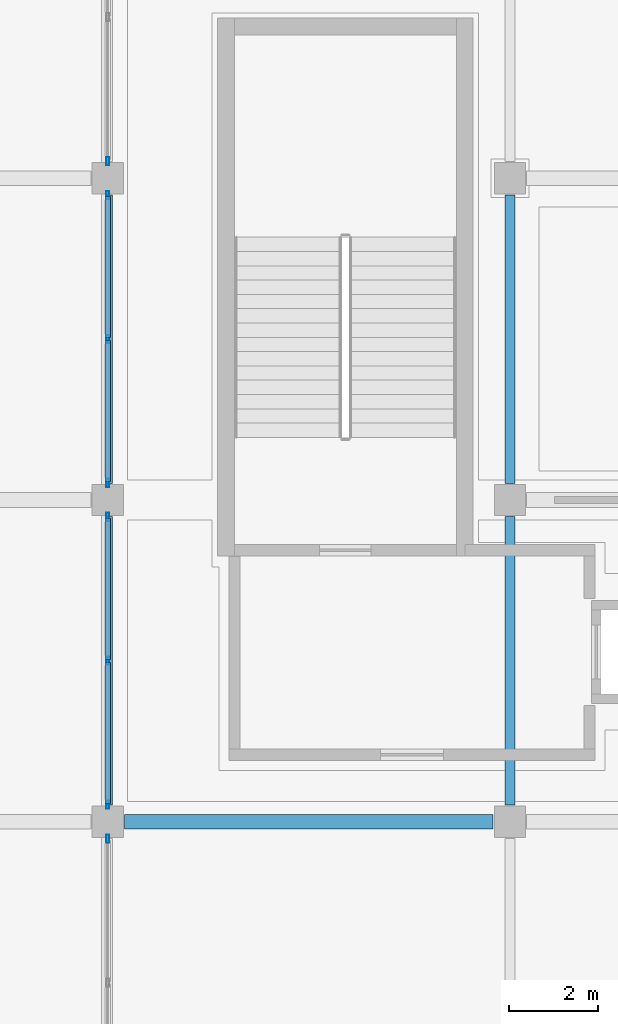
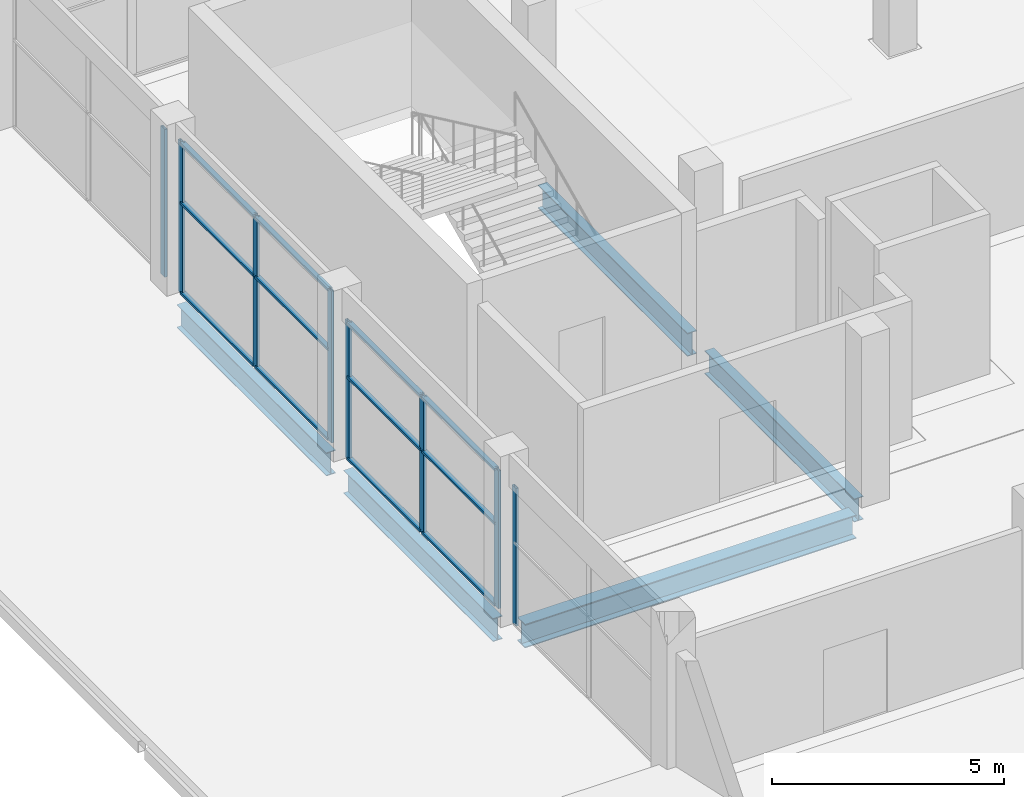
# One storey, part 69 of 151: 20 members, 5 beams, 4 elements without a shape of their own.
"""IFC4 building model written with IfcOpenShell, lengths in metres."""

from ifc_helpers import new_model, si_unit, direction, frame, origin, origin_2d, place, context, subcontext, project, spatial, hollow_rectangle, i_section, extrude, material, layer, layer_set, material_profile, profile_set, type_object, element, aggregate, save


model = new_model("IFC4")

# Units and contexts
model_context = context("Model", 3, precision=1e-05, world=origin(), true_north=direction((0.0, 1.0)))
body_context = subcontext(model_context, "Body", "Model", "MODEL_VIEW")
ifc_project = project(units=[si_unit("LENGTHUNIT", "METRE"), si_unit("AREAUNIT", "SQUARE_METRE"), si_unit("VOLUMEUNIT", "CUBIC_METRE"), si_unit("PLANEANGLEUNIT", "RADIAN"), si_unit("MASSUNIT", "GRAM", prefix="KILO")], contexts=[model_context])

# Site, building, storey
site_placement = place(None, origin())
site = spatial("IfcSite", under=ifc_project, at=site_placement, CompositionType="ELEMENT")
building_placement = place(site_placement, origin())
building = spatial("IfcBuilding", under=site, at=building_placement, Name="Celestram Park Convention Centre", CompositionType="ELEMENT")
storey_placement = place(building_placement, frame((0.0, 0.0, 10.800048828125)))
storey = spatial("IfcBuildingStorey", under=building, at=storey_placement, Name="L02", CompositionType="ELEMENT", Elevation=10.800048828125)

# Curtain wall, member
ifc_material_1 = material(Name="Anodised Aluminium Alloy 6063-T6", Category="aluminium")
ifc_layer_1 = layer(ifc_material_1, 0.179931640625)
ifc_layer_set_1 = layer_set([ifc_layer_1], Name="Anodised Aluminium Alloy 6063-T6")
curtain_wall_type_1 = type_object("IfcCurtainWallType", Name="ARC-CW-650X363", PredefinedType="NOTDEFINED", material=ifc_layer_set_1)
curtain_wall_1_placement = place(storey_placement, origin())
curtain_wall_1 = element("IfcCurtainWall", 1, at=curtain_wall_1_placement, inside=storey, type_object=curtain_wall_type_1, Name="Unitised curtain wall CU-L02-146", PredefinedType="NOTDEFINED")
ifc_material_profile_1 = material_profile(ifc_material_1, hollow_rectangle(XDim=0.06494140625, YDim=0.179931640625, WallThickness=0.00390625, at=origin_2d()), Name="ALU65X180X4")
ifc_profile_set_1 = profile_set([ifc_material_profile_1], Name="Anodised Aluminium Alloy 6063-T6")
member_type_1 = type_object("IfcMemberType", Name="ARC-CWM-150", PredefinedType="MULLION", material=ifc_profile_set_1)
member_1_placement = place(storey_placement, frame((36.0, 143.619384765625, 0.0), z_axis=(0.0, 0.0, 1.0), x_axis=(-1.0, 0.0, 0.0)))
member_1 = element("IfcMember", 2, at=member_1_placement, type_object=member_type_1, Name="CW-65X36 mullion 3", PredefinedType="MULLION", context=body_context, shape_type="SweptSolid", body=[
    extrude(hollow_rectangle(XDim=0.06494140625, YDim=0.179931640625, WallThickness=0.00390625, at=origin_2d()), origin(), (0.0, 0.0, 1.0), 3.6279296875),
])
aggregate(curtain_wall_1, [member_1])

# Curtain wall, members
curtain_wall_2_placement = place(storey_placement, origin())
curtain_wall_2 = element("IfcCurtainWall", 3, at=curtain_wall_2_placement, inside=storey, type_object=curtain_wall_type_1, Name="Unitised curtain wall CU-L02-147", PredefinedType="NOTDEFINED")
member_2_placement = place(storey_placement, frame((36.0, 144.380615234375, 0.0), z_axis=(0.0, 0.0, 1.0), x_axis=(-1.0, 0.0, 0.0)))
member_2 = element("IfcMember", 4, at=member_2_placement, type_object=member_type_1, Name="CW-65X36 mullion 1", PredefinedType="MULLION", context=body_context, shape_type="SweptSolid", body=[
    extrude(hollow_rectangle(XDim=0.06494140625, YDim=0.179931640625, WallThickness=0.00390625, at=origin_2d()), origin(), (0.0, 0.0, 1.0), 3.6279296875),
])
member_3_placement = place(storey_placement, frame((36.0, 147.60009765625, 0.0), z_axis=(0.0, 0.0, 1.0), x_axis=(-1.0, 0.0, 0.0)))
member_3 = element("IfcMember", 5, at=member_3_placement, type_object=member_type_1, Name="CW-65X36 mullion 2", PredefinedType="MULLION", context=body_context, shape_type="SweptSolid", body=[
    extrude(hollow_rectangle(XDim=0.06494140625, YDim=0.179931640625, WallThickness=0.00390625, at=origin_2d()), origin(), (0.0, 0.0, 1.0), 3.6279296875),
])
member_4_placement = place(storey_placement, frame((36.0, 150.819580078125, 0.0), z_axis=(0.0, 0.0, 1.0), x_axis=(-1.0, 0.0, 0.0)))
member_4 = element("IfcMember", 6, at=member_4_placement, type_object=member_type_1, Name="CW-65X36 mullion 3", PredefinedType="MULLION", context=body_context, shape_type="SweptSolid", body=[
    extrude(hollow_rectangle(XDim=0.06494140625, YDim=0.179931640625, WallThickness=0.00390625, at=origin_2d()), origin(), (0.0, 0.0, 1.0), 3.6279296875),
])

ifc_layer_2 = layer(ifc_material_1, 0.179931640625)
ifc_layer_set_2 = layer_set([ifc_layer_2], Name="Anodised Aluminium Alloy 6063-T6")
curtain_wall_type_2 = type_object("IfcCurtainWallType", Name="ARC-CW-650X400", PredefinedType="NOTDEFINED", material=ifc_layer_set_2)
curtain_wall_3_placement = place(storey_placement, origin())
curtain_wall_3 = element("IfcCurtainWall", 7, at=curtain_wall_3_placement, inside=storey, type_object=curtain_wall_type_2, Name="Unitised curtain wall CU-L02-148", PredefinedType="NOTDEFINED")
member_5_placement = place(storey_placement, frame((36.0, 151.58056640625, 0.0), z_axis=(0.0, 0.0, 1.0), x_axis=(-1.0, 0.0, 0.0)))
member_5 = element("IfcMember", 8, at=member_5_placement, type_object=member_type_1, Name="CW-65X40 mullion 1", PredefinedType="MULLION", context=body_context, shape_type="SweptSolid", body=[
    extrude(hollow_rectangle(XDim=0.06494140625, YDim=0.179931640625, WallThickness=0.00390625, at=origin_2d()), origin(), (0.0, 0.0, 1.0), 4.0),
])
member_6_placement = place(storey_placement, frame((36.0, 154.800048828125, 0.0), z_axis=(0.0, 0.0, 1.0), x_axis=(-1.0, 0.0, 0.0)))
member_6 = element("IfcMember", 9, at=member_6_placement, type_object=member_type_1, Name="CW-65X40 mullion 2", PredefinedType="MULLION", context=body_context, shape_type="SweptSolid", body=[
    extrude(hollow_rectangle(XDim=0.06494140625, YDim=0.179931640625, WallThickness=0.00390625, at=origin_2d()), origin(), (0.0, 0.0, 1.0), 4.0),
])
member_7_placement = place(storey_placement, frame((36.0, 158.01953125, 0.0), z_axis=(0.0, 0.0, 1.0), x_axis=(-1.0, 0.0, 0.0)))
member_7 = element("IfcMember", 10, at=member_7_placement, type_object=member_type_1, Name="CW-65X40 mullion 3", PredefinedType="MULLION", context=body_context, shape_type="SweptSolid", body=[
    extrude(hollow_rectangle(XDim=0.06494140625, YDim=0.179931640625, WallThickness=0.00390625, at=origin_2d()), origin(), (0.0, 0.0, 1.0), 4.0),
])

# Curtain wall, member
ifc_layer_3 = layer(ifc_material_1, 0.179931640625)
ifc_layer_set_3 = layer_set([ifc_layer_3], Name="Anodised Aluminium Alloy 6063-T6")
curtain_wall_type_3 = type_object("IfcCurtainWallType", Name="ARC-CW-650X389", PredefinedType="NOTDEFINED", material=ifc_layer_set_3)
curtain_wall_4_placement = place(storey_placement, origin())
curtain_wall_4 = element("IfcCurtainWall", 11, at=curtain_wall_4_placement, inside=storey, type_object=curtain_wall_type_3, Name="Unitised curtain wall CU-L02-149", PredefinedType="NOTDEFINED")
member_8_placement = place(storey_placement, frame((36.0, 158.780517578125, 0.0), z_axis=(0.0, 0.0, 1.0), x_axis=(-1.0, 0.0, 0.0)))
member_8 = element("IfcMember", 12, at=member_8_placement, type_object=member_type_1, Name="CW-65X38 mullion 1", PredefinedType="MULLION", context=body_context, shape_type="SweptSolid", body=[
    extrude(hollow_rectangle(XDim=0.06494140625, YDim=0.179931640625, WallThickness=0.00390625, at=origin_2d()), origin(), (0.0, 0.0, 1.0), 3.89404296875),
])
aggregate(curtain_wall_4, [member_8])

# Member
ifc_material_profile_2 = material_profile(ifc_material_1, hollow_rectangle(XDim=0.1201171875, YDim=0.06005859375, WallThickness=0.0029296875, at=origin_2d()), Name="ALU120X60X3")
ifc_profile_set_2 = profile_set([ifc_material_profile_2], Name="Anodised Aluminium Alloy 6063-T6")
member_type_2 = type_object("IfcMemberType", Name="ARC-CWT-120", PredefinedType="USERDEFINED", material=ifc_profile_set_2)
member_9_placement = place(storey_placement, frame((36.0, 144.4130859375, 0.030029296875), z_axis=(0.0, 1.0, 0.0), x_axis=(-1.0, 0.0, 0.0)))
member_9 = element("IfcMember", 13, at=member_9_placement, type_object=member_type_2, Name="CW-65X36 transom 1.1", ObjectType="TRANSOM", PredefinedType="USERDEFINED", context=body_context, shape_type="SweptSolid", body=[
    extrude(hollow_rectangle(XDim=0.1201171875, YDim=0.06005859375, WallThickness=0.0029296875, at=origin_2d()), origin(), (0.0, 0.0, 1.0), 3.154296875),
])

member_10_placement = place(storey_placement, frame((36.0, 144.4130859375, 2.177001953125), z_axis=(0.0, 1.0, 0.0), x_axis=(-1.0, 0.0, 0.0)))
member_10 = element("IfcMember", 14, at=member_10_placement, type_object=member_type_2, Name="CW-65X36 transom 1.2", ObjectType="TRANSOM", PredefinedType="USERDEFINED", context=body_context, shape_type="SweptSolid", body=[
    extrude(hollow_rectangle(XDim=0.1201171875, YDim=0.06005859375, WallThickness=0.0029296875, at=origin_2d()), origin(), (0.0, 0.0, 1.0), 3.154296875),
])

member_11_placement = place(storey_placement, frame((36.0, 144.4130859375, 3.597900390625), z_axis=(0.0, 1.0, 0.0), x_axis=(-1.0, 0.0, 0.0)))
member_11 = element("IfcMember", 15, at=member_11_placement, type_object=member_type_2, Name="CW-65X36 transom 1.3", ObjectType="TRANSOM", PredefinedType="USERDEFINED", context=body_context, shape_type="SweptSolid", body=[
    extrude(hollow_rectangle(XDim=0.1201171875, YDim=0.06005859375, WallThickness=0.0029296875, at=origin_2d()), origin(), (0.0, 0.0, 1.0), 3.154296875),
])

member_12_placement = place(storey_placement, frame((36.0, 147.632568359375, 0.030029296875), z_axis=(0.0, 1.0, 0.0), x_axis=(-1.0, 0.0, 0.0)))
member_12 = element("IfcMember", 16, at=member_12_placement, type_object=member_type_2, Name="CW-65X36 transom 2.1", ObjectType="TRANSOM", PredefinedType="USERDEFINED", context=body_context, shape_type="SweptSolid", body=[
    extrude(hollow_rectangle(XDim=0.1201171875, YDim=0.06005859375, WallThickness=0.0029296875, at=origin_2d()), origin(), (0.0, 0.0, 1.0), 3.154541015625),
])

member_13_placement = place(storey_placement, frame((36.0, 147.632568359375, 2.177001953125), z_axis=(0.0, 1.0, 0.0), x_axis=(-1.0, 0.0, 0.0)))
member_13 = element("IfcMember", 17, at=member_13_placement, type_object=member_type_2, Name="CW-65X36 transom 2.2", ObjectType="TRANSOM", PredefinedType="USERDEFINED", context=body_context, shape_type="SweptSolid", body=[
    extrude(hollow_rectangle(XDim=0.1201171875, YDim=0.06005859375, WallThickness=0.0029296875, at=origin_2d()), origin(), (0.0, 0.0, 1.0), 3.154541015625),
])

member_14_placement = place(storey_placement, frame((36.0, 147.632568359375, 3.597900390625), z_axis=(0.0, 1.0, 0.0), x_axis=(-1.0, 0.0, 0.0)))
member_14 = element("IfcMember", 18, at=member_14_placement, type_object=member_type_2, Name="CW-65X36 transom 2.3", ObjectType="TRANSOM", PredefinedType="USERDEFINED", context=body_context, shape_type="SweptSolid", body=[
    extrude(hollow_rectangle(XDim=0.1201171875, YDim=0.06005859375, WallThickness=0.0029296875, at=origin_2d()), origin(), (0.0, 0.0, 1.0), 3.154541015625),
])

aggregate(curtain_wall_2, [member_2, member_3, member_4, member_9, member_10, member_11, member_12, member_13, member_14])

member_15_placement = place(storey_placement, frame((36.0, 151.613037109375, 0.030029296875), z_axis=(0.0, 1.0, 0.0), x_axis=(-1.0, 0.0, 0.0)))
member_15 = element("IfcMember", 19, at=member_15_placement, type_object=member_type_2, Name="CW-65X40 transom 1.1", ObjectType="TRANSOM", PredefinedType="USERDEFINED", context=body_context, shape_type="SweptSolid", body=[
    extrude(hollow_rectangle(XDim=0.1201171875, YDim=0.06005859375, WallThickness=0.0029296875, at=origin_2d()), origin(), (0.0, 0.0, 1.0), 3.154541015625),
])

member_16_placement = place(storey_placement, frame((36.0, 151.613037109375, 2.39990234375), z_axis=(0.0, 1.0, 0.0), x_axis=(-1.0, 0.0, 0.0)))
member_16 = element("IfcMember", 20, at=member_16_placement, type_object=member_type_2, Name="CW-65X40 transom 1.2", ObjectType="TRANSOM", PredefinedType="USERDEFINED", context=body_context, shape_type="SweptSolid", body=[
    extrude(hollow_rectangle(XDim=0.1201171875, YDim=0.06005859375, WallThickness=0.0029296875, at=origin_2d()), origin(), (0.0, 0.0, 1.0), 3.154541015625),
])

member_17_placement = place(storey_placement, frame((36.0, 151.613037109375, 3.969970703125), z_axis=(0.0, 1.0, 0.0), x_axis=(-1.0, 0.0, 0.0)))
member_17 = element("IfcMember", 21, at=member_17_placement, type_object=member_type_2, Name="CW-65X40 transom 1.3", ObjectType="TRANSOM", PredefinedType="USERDEFINED", context=body_context, shape_type="SweptSolid", body=[
    extrude(hollow_rectangle(XDim=0.1201171875, YDim=0.06005859375, WallThickness=0.0029296875, at=origin_2d()), origin(), (0.0, 0.0, 1.0), 3.154541015625),
])

member_18_placement = place(storey_placement, frame((36.0, 154.83251953125, 0.030029296875), z_axis=(0.0, 1.0, 0.0), x_axis=(-1.0, 0.0, 0.0)))
member_18 = element("IfcMember", 22, at=member_18_placement, type_object=member_type_2, Name="CW-65X40 transom 2.1", ObjectType="TRANSOM", PredefinedType="USERDEFINED", context=body_context, shape_type="SweptSolid", body=[
    extrude(hollow_rectangle(XDim=0.1201171875, YDim=0.06005859375, WallThickness=0.0029296875, at=origin_2d()), origin(), (0.0, 0.0, 1.0), 3.154541015625),
])

member_19_placement = place(storey_placement, frame((36.0, 154.83251953125, 2.39990234375), z_axis=(0.0, 1.0, 0.0), x_axis=(-1.0, 0.0, 0.0)))
member_19 = element("IfcMember", 23, at=member_19_placement, type_object=member_type_2, Name="CW-65X40 transom 2.2", ObjectType="TRANSOM", PredefinedType="USERDEFINED", context=body_context, shape_type="SweptSolid", body=[
    extrude(hollow_rectangle(XDim=0.1201171875, YDim=0.06005859375, WallThickness=0.0029296875, at=origin_2d()), origin(), (0.0, 0.0, 1.0), 3.154541015625),
])

member_20_placement = place(storey_placement, frame((36.0, 154.83251953125, 3.969970703125), z_axis=(0.0, 1.0, 0.0), x_axis=(-1.0, 0.0, 0.0)))
member_20 = element("IfcMember", 24, at=member_20_placement, type_object=member_type_2, Name="CW-65X40 transom 2.3", ObjectType="TRANSOM", PredefinedType="USERDEFINED", context=body_context, shape_type="SweptSolid", body=[
    extrude(hollow_rectangle(XDim=0.1201171875, YDim=0.06005859375, WallThickness=0.0029296875, at=origin_2d()), origin(), (0.0, 0.0, 1.0), 3.154541015625),
])

aggregate(curtain_wall_3, [member_5, member_6, member_7, member_15, member_16, member_17, member_18, member_19, member_20])

# Beams
ifc_material_2 = material(Name="Steel ASTM A992 Grade 50", Category="steel")
ifc_material_profile_3 = material_profile(ifc_material_2, i_section(OverallWidth=0.327880859375, OverallDepth=0.6220703125, WebThickness=0.015380859375, FlangeThickness=0.0244140625, at=origin_2d()), Name="W24X131")
ifc_profile_set_3 = profile_set([ifc_material_profile_3], Name="Steel ASTM A992 Grade 50")
beam_type_1 = type_object("IfcBeamType", Name="STR-BM-W24X131", PredefinedType="BEAM", material=ifc_profile_set_3)
beam_1_placement = place(storey_placement, frame((36.373046875, 144.0, -0.591064453125), z_axis=(1.0, 0.0, 0.0), x_axis=(0.0, 1.0, 0.0)))
element("IfcBeam", 25, at=beam_1_placement, inside=storey, type_object=beam_type_1, Name="Primary X-girder BG-L02-0019", PredefinedType="BEAM", context=body_context, shape_type="SweptSolid", body=[
    extrude(i_section(OverallWidth=0.327880859375, OverallDepth=0.6220703125, WebThickness=0.015380859375, FlangeThickness=0.0244140625, at=origin_2d()), origin(), (0.0, 0.0, 1.0), 8.25390625),
])
ifc_material_profile_4 = material_profile(ifc_material_2, i_section(OverallWidth=0.22900390625, OverallDepth=0.612060546875, WebThickness=0.011962890625, FlangeThickness=0.01953125, at=origin_2d()), Name="W24X84")
ifc_profile_set_4 = profile_set([ifc_material_profile_4], Name="Steel ASTM A992 Grade 50")
beam_type_2 = type_object("IfcBeamType", Name="STR-BM-W24X84", PredefinedType="BEAM", material=ifc_profile_set_4)
beam_2_placement = place(storey_placement, frame((36.0, 144.373046875, -0.5859375), z_axis=(0.0, 1.0, 0.0), x_axis=(-1.0, 0.0, 0.0)))
element("IfcBeam", 26, at=beam_2_placement, inside=storey, type_object=beam_type_2, Name="Primary Y-girder BG-L02-0020", PredefinedType="BEAM", context=body_context, shape_type="SweptSolid", body=[
    extrude(i_section(OverallWidth=0.22900390625, OverallDepth=0.612060546875, WebThickness=0.011962890625, FlangeThickness=0.01953125, at=origin_2d()), origin(), (0.0, 0.0, 1.0), 6.453857421875),
])
beam_3_placement = place(storey_placement, frame((36.0, 151.572998046875, -0.5859375), z_axis=(0.0, 1.0, 0.0), x_axis=(-1.0, 0.0, 0.0)))
element("IfcBeam", 27, at=beam_3_placement, inside=storey, type_object=beam_type_2, Name="Primary Y-girder BG-L02-0021", PredefinedType="BEAM", context=body_context, shape_type="SweptSolid", body=[
    extrude(i_section(OverallWidth=0.22900390625, OverallDepth=0.612060546875, WebThickness=0.011962890625, FlangeThickness=0.01953125, at=origin_2d()), origin(), (0.0, 0.0, 1.0), 6.4541015625),
])
beam_4_placement = place(storey_placement, frame((45.0, 144.373046875, -0.5859375), z_axis=(0.0, 1.0, 0.0), x_axis=(-1.0, 0.0, 0.0)))
element("IfcBeam", 28, at=beam_4_placement, inside=storey, type_object=beam_type_2, Name="Primary Y-girder BG-L02-0034", PredefinedType="BEAM", context=body_context, shape_type="SweptSolid", body=[
    extrude(i_section(OverallWidth=0.22900390625, OverallDepth=0.612060546875, WebThickness=0.011962890625, FlangeThickness=0.01953125, at=origin_2d()), origin(), (0.0, 0.0, 1.0), 6.453857421875),
])
beam_5_placement = place(storey_placement, frame((45.0, 151.572998046875, -0.5859375), z_axis=(0.0, 1.0, 0.0), x_axis=(-1.0, 0.0, 0.0)))
element("IfcBeam", 29, at=beam_5_placement, inside=storey, type_object=beam_type_2, Name="Primary Y-girder BG-L02-0036", PredefinedType="BEAM", context=body_context, shape_type="SweptSolid", body=[
    extrude(i_section(OverallWidth=0.22900390625, OverallDepth=0.612060546875, WebThickness=0.011962890625, FlangeThickness=0.01953125, at=origin_2d()), origin(), (0.0, 0.0, 1.0), 6.4541015625),
])

save(model, "model.ifc")
